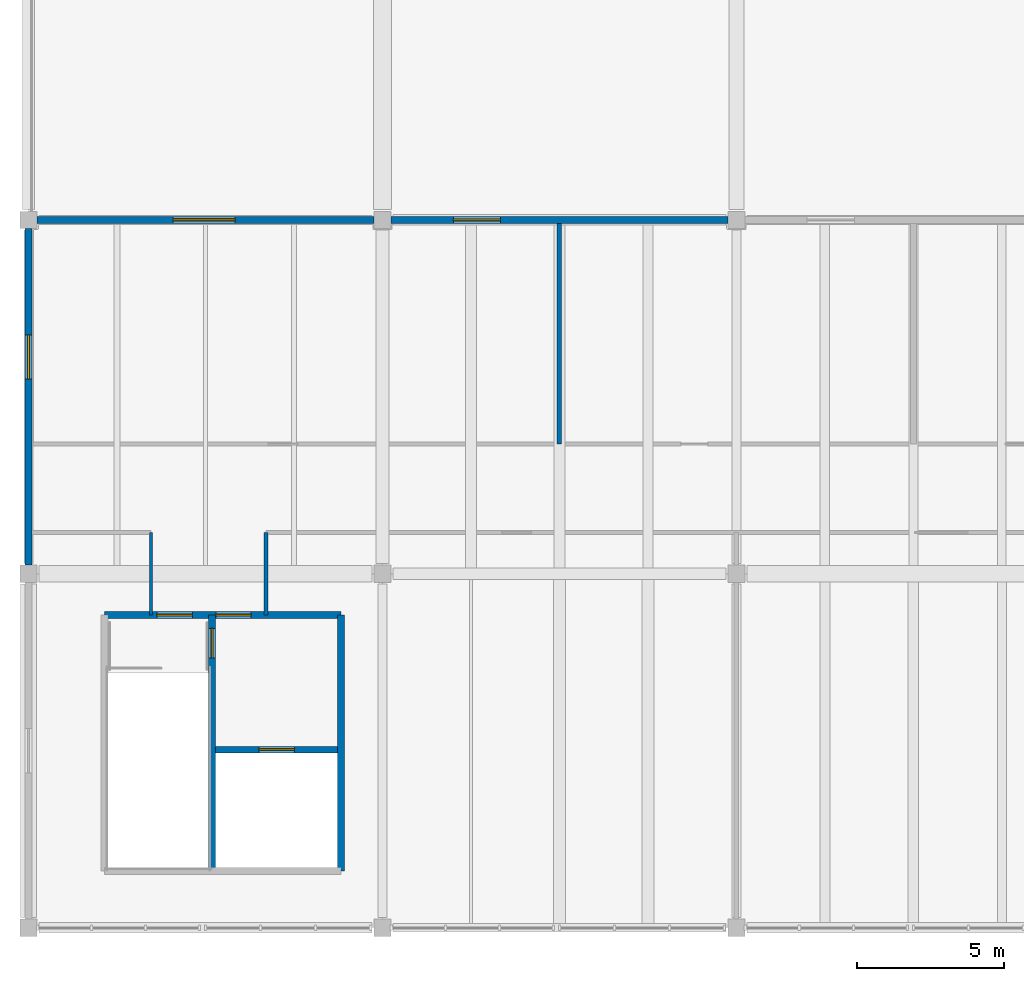
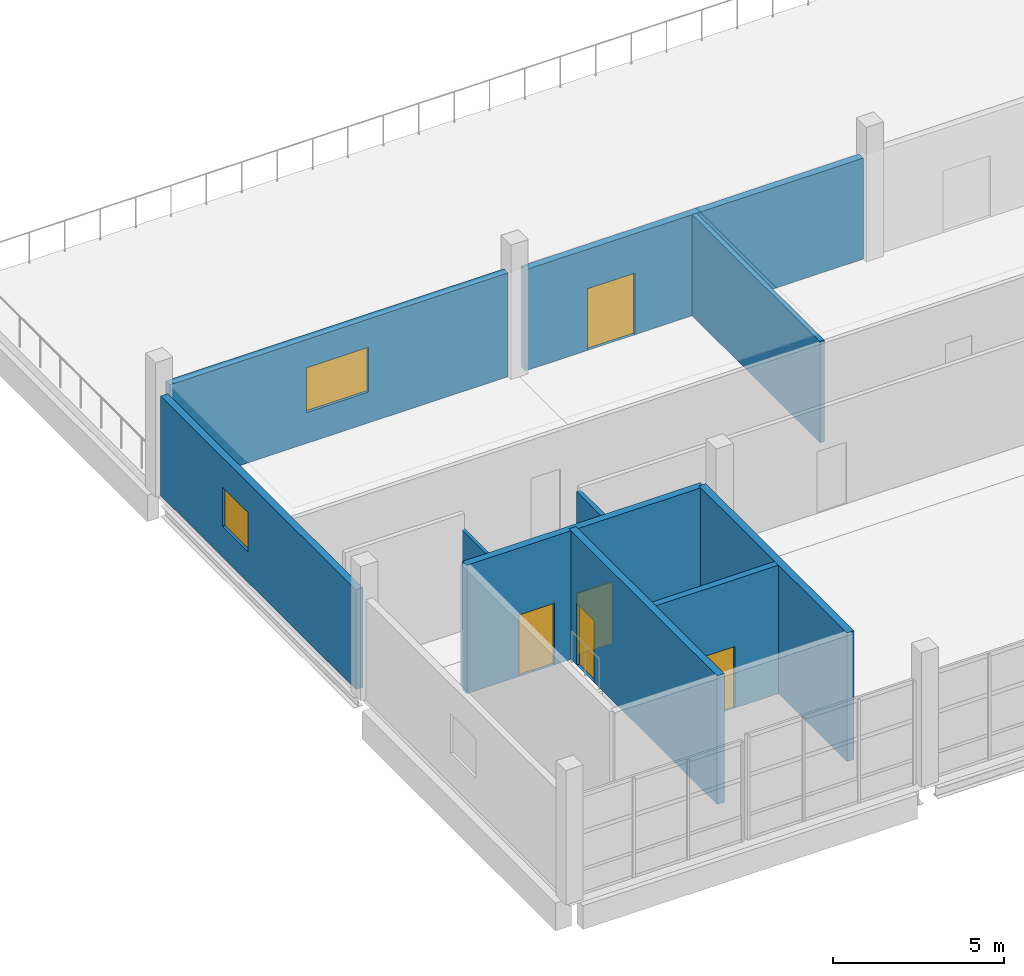
# One storey, part 6 of 8: 10 walls, 5 doors, 2 windows, 7 openings.
"""IFC4 building model written with IfcOpenShell, lengths in metres."""

import ifcopenshell
import ifcopenshell.guid

model = None  # the IFC model being written
_history = None  # IfcOwnerHistory: only IFC2X3 demands one
_inside = {}  # id of a spatial element -> (the spatial element, [elements in it])
_under = {}  # id of a project, library or spatial element -> (it, [spatial elements below it])
_declared = {}  # id of a project -> (the project, [libraries it declares])
_typed = {}  # id of a type object -> (the type object, [elements of that type])
_made_of = {}  # id of a material, layer set ... -> (it, [elements and type objects made of it])


def new_model(schema):
    """Start an empty IFC model of exactly this schema.

    Asked for "IFC4X3", IfcOpenShell would pick the latest addendum, in which some entities
    have other attributes; the version numbers below select the first issue.
    IFC2X3 requires an IfcOwnerHistory on every rooted entity: one is made here for all.
    """
    global model, _history
    if schema == "IFC4X3":
        model = ifcopenshell.file(schema_version=(4, 3, 0, 0))
    else:
        model = ifcopenshell.file(schema=schema)
    _inside.clear()
    _under.clear()
    _declared.clear()
    _typed.clear()
    _made_of.clear()
    _history = None
    if model.schema == "IFC2X3":
        org = make("IfcOrganization", Name="unknown")
        user = make(
            "IfcPersonAndOrganization",
            ThePerson=make("IfcPerson", FamilyName="unknown"),
            TheOrganization=org,
        )
        app = make(
            "IfcApplication",
            ApplicationDeveloper=org,
            Version="unknown",
            ApplicationFullName="unknown",
            ApplicationIdentifier="unknown",
        )
        _history = make(
            "IfcOwnerHistory",
            OwningUser=user,
            OwningApplication=app,
            ChangeAction="ADDED",
            CreationDate=0,
        )
    return model


def make(cls, **values):
    """One entity of the class cls with the attributes given. An attribute that is None is left unset."""
    return model.create_entity(
        cls, **{name: value for name, value in values.items() if value is not None}
    )


def rooted(cls, **values):
    """An entity with a GlobalId (a new one), such as an element, a storey or a relation."""
    return make(cls, GlobalId=ifcopenshell.guid.new(), OwnerHistory=_history, **values)


def si_unit(unit_type, name, prefix=None):
    """IfcSIUnit, for example si_unit("LENGTHUNIT", "METRE", prefix="MILLI")."""
    return make("IfcSIUnit", UnitType=unit_type, Prefix=prefix, Name=name)


def assignment(units):
    """IfcUnitAssignment: the units of a project."""
    return None if units is None else make("IfcUnitAssignment", Units=units)


def point(xyz):
    """IfcCartesianPoint."""
    return None if xyz is None else make("IfcCartesianPoint", Coordinates=xyz)


def direction(xyz):
    """IfcDirection."""
    return None if xyz is None else make("IfcDirection", DirectionRatios=xyz)


def frame(location, z_axis=None, x_axis=None):
    """IfcAxis2Placement3D, a coordinate frame: its origin and axes. An axis left out is left unset."""
    return make(
        "IfcAxis2Placement3D",
        Location=point(location),
        Axis=direction(z_axis),
        RefDirection=direction(x_axis),
    )


def frame_2d(location, x_axis=None):
    """IfcAxis2Placement2D, a coordinate frame in the plane: its origin and x axis."""
    return make(
        "IfcAxis2Placement2D", Location=point(location), RefDirection=direction(x_axis)
    )


def origin():
    """The frame at (0, 0, 0) with its axes left unset."""
    return frame((0.0, 0.0, 0.0))


def place(relative_to, where):
    """IfcLocalPlacement: puts the frame where relative to a parent placement (None: the world)."""
    return make(
        "IfcLocalPlacement", PlacementRelTo=relative_to, RelativePlacement=where
    )


def context(
    kind, dimensions, precision=None, world=None, true_north=None, identifier=None
):
    """IfcGeometricRepresentationContext, for example the 3D "Model" context."""
    return make(
        "IfcGeometricRepresentationContext",
        ContextIdentifier=identifier,
        ContextType=kind,
        CoordinateSpaceDimension=dimensions,
        Precision=precision,
        WorldCoordinateSystem=world,
        TrueNorth=true_north,
    )


def subcontext(parent, identifier, kind, view, scale=None):
    """IfcGeometricRepresentationSubContext, for example "Body" below "Model"."""
    return make(
        "IfcGeometricRepresentationSubContext",
        ContextIdentifier=identifier,
        ContextType=kind,
        ParentContext=parent,
        TargetScale=scale,
        TargetView=view,
    )


def project(units=None, contexts=None):
    """IfcProject with its units and contexts."""
    return rooted(
        "IfcProject",
        Name="project",
        RepresentationContexts=contexts,
        UnitsInContext=assignment(units),
    )


def spatial(cls, under=None, at=None, **own):
    """A site, building, storey or space (cls), placed at a placement, below another one or the project."""
    s = rooted(cls, ObjectPlacement=at, **own)
    if under is not None:
        _under.setdefault(under.id(), (under, []))[1].append(s)
    return s


def profile(cls, at=None, kind="AREA", **sizes):
    """A parametric profile (cls). Its sizes go by their IFC names, for example OverallWidth=200.0."""
    return make(cls, ProfileType=kind, Position=at, **sizes)


def rectangle(**sizes):
    """IfcRectangleProfileDef."""
    return profile("IfcRectangleProfileDef", **sizes)


def extrude(swept, where, along, depth):
    """IfcExtrudedAreaSolid: the profile swept, set in the frame where, extruded along a direction by depth."""
    return make(
        "IfcExtrudedAreaSolid",
        SweptArea=swept,
        Position=where,
        ExtrudedDirection=direction(along),
        Depth=depth,
    )


def shape(context_of_items, identifier, shape_type, items):
    """IfcShapeRepresentation: the items that make up one representation, for example the "Body"."""
    return make(
        "IfcShapeRepresentation",
        ContextOfItems=context_of_items,
        RepresentationIdentifier=identifier,
        RepresentationType=shape_type,
        Items=items,
    )


def material(Name=None, Category=None):
    """IfcMaterial."""
    return make("IfcMaterial", Name=Name, Category=Category)


def layer(
    of_material, thickness, ventilated=None, Name=None, Category=None, Priority=None
):
    """IfcMaterialLayer: one layer of a wall or slab, of a material (None: an air gap)."""
    return make(
        "IfcMaterialLayer",
        Material=of_material,
        LayerThickness=thickness,
        IsVentilated=ventilated,
        Name=Name,
        Category=Category,
        Priority=Priority,
    )


def layer_set(layers, Name=None):
    """IfcMaterialLayerSet."""
    return make("IfcMaterialLayerSet", MaterialLayers=layers, LayerSetName=Name)


def made_of(thing, what):
    """Note that an element or type object is made of a material, layer set ...; save() writes the relation."""
    if what is not None:
        _made_of.setdefault(what.id(), (what, []))[1].append(thing)
    return thing


def type_object(cls, material=None, **own):
    """A type object (cls), such as IfcWallType, which elements share."""
    return made_of(rooted(cls, **own), material)


def element(
    cls,
    number,
    at=None,
    inside=None,
    cuts=None,
    type_object=None,
    material=None,
    context=None,
    identifier="Body",
    shape_type=None,
    held_by="IfcProductDefinitionShape",
    body=None,
    shapes=None,
    **own,
):
    """One element of the class cls, such as IfcWall. Its Tag is "e" and its number.

    at: its placement. inside: the storey or other place that contains it. cuts: it is an
    opening in that element (IfcRelVoidsElement). A single representation is given by context,
    identifier, shape_type and body (its items); several are given by shapes. held_by: the class
    of the entity that holds the representations. save() writes the other relations.
    """
    e = rooted(cls, Tag="e%d" % number, ObjectPlacement=at, **own)
    if body is not None:
        shapes = [shape(context, identifier, shape_type, body)]
    if shapes is not None:
        e.Representation = make(held_by, Representations=shapes)
    if inside is not None:
        _inside.setdefault(inside.id(), (inside, []))[1].append(e)
    if cuts is not None:
        rooted(
            "IfcRelVoidsElement", RelatingBuildingElement=cuts, RelatedOpeningElement=e
        )
    if type_object is not None:
        _typed.setdefault(type_object.id(), (type_object, []))[1].append(e)
    return made_of(e, material)


def fill(opening, filler):
    """IfcRelFillsElement: the door or window that sits in an opening."""
    return rooted(
        "IfcRelFillsElement",
        RelatingOpeningElement=opening,
        RelatedBuildingElement=filler,
    )


def aggregate(whole, parts):
    """IfcRelAggregates: a whole, such as a stair, and the parts it consists of."""
    return rooted("IfcRelAggregates", RelatingObject=whole, RelatedObjects=parts)


def save(model, path):
    """Write the relations noted so far, then the file.

    IfcRelAggregates (storeys below a building ...), IfcRelContainedInSpatialStructure (elements
    in a storey), IfcRelDefinesByType, IfcRelAssociatesMaterial and IfcRelDeclares: one each for
    every whole, place, type object, material and project.
    """
    for whole, parts in _under.values():
        aggregate(whole, parts)
    for where, things in _inside.values():
        rooted(
            "IfcRelContainedInSpatialStructure",
            RelatedElements=things,
            RelatingStructure=where,
        )
    for kind, things in _typed.values():
        rooted("IfcRelDefinesByType", RelatedObjects=things, RelatingType=kind)
    for what, things in _made_of.values():
        rooted("IfcRelAssociatesMaterial", RelatedObjects=things, RelatingMaterial=what)
    for by, libraries in _declared.values():
        rooted("IfcRelDeclares", RelatingContext=by, RelatedDefinitions=libraries)
    model.write(path)


model = new_model("IFC4")

# Units and contexts
model_context = context("Model", 3, precision=1e-05, world=origin(), true_north=direction((0.0, 1.0)))
body_context = subcontext(model_context, "Body", "Model", "MODEL_VIEW")
ifc_project = project(units=[si_unit("LENGTHUNIT", "METRE"), si_unit("AREAUNIT", "SQUARE_METRE"), si_unit("VOLUMEUNIT", "CUBIC_METRE"), si_unit("PLANEANGLEUNIT", "RADIAN"), si_unit("MASSUNIT", "GRAM", prefix="KILO")], contexts=[model_context])

# Site, building, storey
site_placement = place(None, origin())
site = spatial("IfcSite", under=ifc_project, at=site_placement, CompositionType="ELEMENT")
building_placement = place(site_placement, origin())
building = spatial("IfcBuilding", under=site, at=building_placement, Name="Kamomehara Wholesale Market", CompositionType="ELEMENT")
storey_placement = place(building_placement, frame((0.0, 0.0, 16.199951171875)))
storey = spatial("IfcBuildingStorey", under=building, at=storey_placement, Name="L03", CompositionType="ELEMENT", Elevation=16.199951171875)

# Wall, opening, window
ifc_material_1 = material(Name="Precast concrete Fc45 (C40/50)", Category="concrete")
ifc_layer_1 = layer(ifc_material_1, 0.239990234375)
ifc_layer_set_1 = layer_set([ifc_layer_1], Name="Precast concrete Fc45 (C40/50)")
wall_type_1 = type_object("IfcWallType", Name="EW-PC-240", PredefinedType="SOLIDWALL", material=ifc_layer_set_1)
wall_1_placement = place(storey_placement, frame((108.2900390625, 36.0, 0.0), z_axis=(0.0, 0.0, 1.0), x_axis=(1.0, 0.0, 0.0)))
wall_1 = element("IfcWall", 1, at=wall_1_placement, inside=storey, type_object=wall_type_1, Name="Exterior wall EW-PC-240 118", PredefinedType="SOLIDWALL", context=body_context, shape_type="SweptSolid", body=[
    extrude(rectangle(XDim=11.419921875, YDim=0.239990234375, at=frame_2d((5.7099609375, 0.0))), origin(), (0.0, 0.0, 1.0), 3.7080078125),
])
opening_1_placement = place(wall_1_placement, frame((4.610107421875, 0.0, 1.10009765625)))
opening_1 = element("IfcOpeningElement", 2, at=opening_1_placement, cuts=wall_1, Name="Opening WN-L03-034", PredefinedType="OPENING", context=body_context, shape_type="SweptSolid", body=[
    extrude(rectangle(XDim=2.10009765625, YDim=1.60009765625, at=frame_2d((1.050048828125, 0.800048828125))), frame((0.0, 0.134765625, 0.0), z_axis=(0.0, -1.0, 0.0), x_axis=(1.0, 0.0, 0.0)), (0.0, 0.0, 1.0), 0.269775390625),
])
ifc_material_2 = material(Name="Solar-control Low-E double glazing", Category="glass")
window_type_1 = type_object("IfcWindowType", Name="WIN-2100x1600", PartitioningType="SINGLE_PANEL", PredefinedType="WINDOW", material=ifc_material_2)
window_1_placement = place(opening_1_placement, origin())
window_1 = element("IfcWindow", 3, at=window_1_placement, inside=storey, type_object=window_type_1, Name="Exterior window WN-L03-034", OverallHeight=1.60009765625, OverallWidth=2.10009765625, PartitioningType="SINGLE_PANEL", PredefinedType="WINDOW", context=body_context, shape_type="SweptSolid", body=[
    extrude(rectangle(XDim=2.10009765625, YDim=1.60009765625, at=frame_2d((1.050048828125, 0.800048828125))), frame((0.0, 0.030029296875, 0.0), z_axis=(0.0, -1.0, 0.0), x_axis=(1.0, 0.0, 0.0)), (0.0, 0.0, 1.0), 0.06005859375),
])
fill(opening_1, window_1)

# Wall, opening, door
wall_2_placement = place(storey_placement, frame((120.2900390625, 36.0, 0.0), z_axis=(0.0, 0.0, 1.0), x_axis=(1.0, 0.0, 0.0)))
wall_2 = element("IfcWall", 4, at=wall_2_placement, inside=storey, type_object=wall_type_1, Name="Exterior wall EW-PC-240 119", PredefinedType="SOLIDWALL", context=body_context, shape_type="SweptSolid", body=[
    extrude(rectangle(XDim=11.419921875, YDim=0.239990234375, at=frame_2d((5.7099609375, 0.0))), origin(), (0.0, 0.0, 1.0), 3.608154296875),
])
opening_2_placement = place(wall_2_placement, frame((2.110107421875, 0.0, 0.0)))
opening_2 = element("IfcOpeningElement", 5, at=opening_2_placement, cuts=wall_2, Name="Opening TD-L03-120", PredefinedType="OPENING", context=body_context, shape_type="SweptSolid", body=[
    extrude(rectangle(XDim=1.60009765625, YDim=2.199951171875, at=frame_2d((0.800048828125, 1.10009765625))), frame((0.0, 0.134765625, 0.0), z_axis=(0.0, -1.0, 0.0), x_axis=(1.0, 0.0, 0.0)), (0.0, 0.0, 1.0), 0.269775390625),
])
ifc_material_3 = material(Name="Anodised aluminium 6063-T5", Category="aluminium")
door_type_1 = type_object("IfcDoorType", Name="EDR-1600x2200", OperationType="NOTDEFINED", PredefinedType="DOOR", material=ifc_material_3)
door_1_placement = place(opening_2_placement, origin())
door_1 = element("IfcDoor", 6, at=door_1_placement, inside=storey, type_object=door_type_1, Name="Terrace 3 harbour-view door TD-L03-120", OperationType="SINGLE_SWING_LEFT", OverallHeight=2.199951171875, OverallWidth=1.60009765625, PredefinedType="DOOR", context=body_context, shape_type="SweptSolid", body=[
    extrude(rectangle(XDim=1.60009765625, YDim=2.199951171875, at=frame_2d((0.800048828125, 1.10009765625))), frame((0.0, 0.02490234375, 0.0), z_axis=(0.0, -1.0, 0.0), x_axis=(1.0, 0.0, 0.0)), (0.0, 0.0, 1.0), 0.050048828125),
])
fill(opening_2, door_1)

# Wall, opening, window
wall_3_placement = place(storey_placement, frame((108.0, 24.2900390625, 0.0), z_axis=(0.0, 0.0, 1.0), x_axis=(0.0, 1.0, 0.0)))
wall_3 = element("IfcWall", 7, at=wall_3_placement, inside=storey, type_object=wall_type_1, Name="Exterior wall EW-PC-240 125", PredefinedType="SOLIDWALL", context=body_context, shape_type="SweptSolid", body=[
    extrude(rectangle(XDim=11.419921875, YDim=0.239990234375, at=frame_2d((5.7099609375, 0.0))), origin(), (0.0, 0.0, 1.0), 3.55810546875),
])
opening_3_placement = place(wall_3_placement, frame((6.31005859375, 0.0, 1.10009765625)))
opening_3 = element("IfcOpeningElement", 8, at=opening_3_placement, cuts=wall_3, Name="Opening WN-L03-039", PredefinedType="OPENING", context=body_context, shape_type="SweptSolid", body=[
    extrude(rectangle(XDim=1.5, YDim=1.39990234375, at=frame_2d((0.75, 0.699951171875))), frame((0.0, 0.134765625, 0.0), z_axis=(0.0, -1.0, 0.0), x_axis=(1.0, 0.0, 0.0)), (0.0, 0.0, 1.0), 0.269775390625),
])
ifc_material_4 = material(Name="Solar-control Low-E double glazing", Category="glass")
window_type_2 = type_object("IfcWindowType", Name="WIN-1500x1400", PartitioningType="SINGLE_PANEL", PredefinedType="WINDOW", material=ifc_material_4)
window_2_placement = place(opening_3_placement, origin())
window_2 = element("IfcWindow", 9, at=window_2_placement, inside=storey, type_object=window_type_2, Name="Exterior window WN-L03-039", OverallHeight=1.39990234375, OverallWidth=1.5, PartitioningType="SINGLE_PANEL", PredefinedType="WINDOW", context=body_context, shape_type="SweptSolid", body=[
    extrude(rectangle(XDim=1.5, YDim=1.39990234375, at=frame_2d((0.75, 0.699951171875))), frame((0.0, 0.030029296875, 0.0), z_axis=(0.0, -1.0, 0.0), x_axis=(1.0, 0.0, 0.0)), (0.0, 0.0, 1.0), 0.06005859375),
])
fill(opening_3, window_2)

# Walls
ifc_material_5 = material(Name="Gypsum board partition")
ifc_layer_2 = layer(ifc_material_5, 0.10009765625)
ifc_layer_set_2 = layer_set([ifc_layer_2], Name="Gypsum board partition")
wall_type_2 = type_object("IfcWallType", Name="IW-PRT-100", PredefinedType="PARTITIONING", material=ifc_layer_set_2)
wall_4_placement = place(storey_placement, frame((112.14990234375, 22.60009765625, 0.0), z_axis=(0.0, 0.0, 1.0), x_axis=(0.0, 1.0, 0.0)))
element("IfcWall", 10, at=wall_4_placement, inside=storey, type_object=wall_type_2, Name="Interior wall IW-PRT-100 378", PredefinedType="PARTITIONING", context=body_context, shape_type="SweptSolid", body=[
    extrude(rectangle(XDim=2.7998046875, YDim=0.10009765625, at=frame_2d((1.39990234375, 0.0))), origin(), (0.0, 0.0, 1.0), 3.56298828125),
])
ifc_material_6 = material(Name="Gypsum board partition")
ifc_layer_3 = layer(ifc_material_6, 0.14990234375)
ifc_layer_set_3 = layer_set([ifc_layer_3], Name="Gypsum board partition")
wall_type_3 = type_object("IfcWallType", Name="IW-PRT-150", PredefinedType="PARTITIONING", material=ifc_layer_set_3)
wall_5_placement = place(storey_placement, frame((116.050048828125, 22.60009765625, 0.0), z_axis=(0.0, 0.0, 1.0), x_axis=(0.0, 1.0, 0.0)))
element("IfcWall", 11, at=wall_5_placement, inside=storey, type_object=wall_type_3, Name="Interior wall IW-PRT-150 379", PredefinedType="PARTITIONING", context=body_context, shape_type="SweptSolid", body=[
    extrude(rectangle(XDim=2.7998046875, YDim=0.14990234375, at=frame_2d((1.39990234375, 0.0))), origin(), (0.0, 0.0, 1.0), 3.56298828125),
])
wall_6_placement = place(storey_placement, frame((126.0, 28.39990234375, 0.0), z_axis=(0.0, 0.0, 1.0), x_axis=(0.0, 1.0, 0.0)))
element("IfcWall", 12, at=wall_6_placement, inside=storey, type_object=wall_type_3, Name="Interior wall IW-PRT-150 386", PredefinedType="PARTITIONING", context=body_context, shape_type="SweptSolid", body=[
    extrude(rectangle(XDim=7.47998046875, YDim=0.14990234375, at=frame_2d((3.739990234375, 0.0))), origin(), (0.0, 0.0, 1.0), 3.613037109375),
])

# Wall, opening, door
ifc_material_7 = material(Name="Concrete Fc36 (C35/45)", Category="concrete")
ifc_layer_4 = layer(ifc_material_7, 0.219970703125)
ifc_layer_set_4 = layer_set([ifc_layer_4], Name="Concrete Fc36 (C35/45)")
wall_type_4 = type_object("IfcWallType", Name="IW-SHR-220", PredefinedType="SHEAR", material=ifc_layer_set_4)
wall_7_placement = place(storey_placement, frame((114.340087890625, 18.0400390625, 0.0), z_axis=(0.0, 0.0, 1.0), x_axis=(1.0, 0.0, 0.0)))
wall_7 = element("IfcWall", 13, at=wall_7_placement, inside=storey, type_object=wall_type_4, Name="Interior wall IW-SHR-220 108", PredefinedType="SHEAR", context=body_context, shape_type="SweptSolid", body=[
    extrude(rectangle(XDim=4.139892578125, YDim=0.219970703125, at=frame_2d((2.06982421875, 0.0))), origin(), (0.0, 0.0, 1.0), 4.590087890625),
])
opening_4_placement = place(wall_7_placement, frame((1.469970703125, 0.0, 0.0)))
opening_4 = element("IfcOpeningElement", 14, at=opening_4_placement, cuts=wall_7, Name="Opening LD-LP-03-L03", PredefinedType="OPENING", context=body_context, shape_type="SweptSolid", body=[
    extrude(rectangle(XDim=1.199951171875, YDim=2.199951171875, at=frame_2d((0.60009765625, 1.10009765625))), frame((0.0, 0.125, 0.0), z_axis=(0.0, -1.0, 0.0), x_axis=(1.0, 0.0, 0.0)), (0.0, 0.0, 1.0), 0.249755859375),
])
ifc_material_8 = material(Name="Steel SN400B", Category="steel")
door_type_2 = type_object("IfcDoorType", Name="LDR-PAX-1200x2200", OperationType="DOUBLE_DOOR_SLIDING", PredefinedType="DOOR", material=ifc_material_8)
door_2_placement = place(opening_4_placement, origin())
door_2 = element("IfcDoor", 15, at=door_2_placement, inside=storey, type_object=door_type_2, Name="Lift sliding landing door LD-LP-03-L03", OperationType="DOUBLE_DOOR_SLIDING", OverallHeight=2.199951171875, OverallWidth=1.199951171875, PredefinedType="DOOR", context=body_context, shape_type="SweptSolid", body=[
    extrude(rectangle(XDim=1.199951171875, YDim=2.199951171875, at=frame_2d((0.60009765625, 1.10009765625))), frame((0.0, 0.02490234375, 0.0), z_axis=(0.0, -1.0, 0.0), x_axis=(1.0, 0.0, 0.0)), (0.0, 0.0, 1.0), 0.050048828125),
])
fill(opening_4, door_2)

ifc_material_9 = material(Name="Concrete Fc36 (C35/45)", Category="concrete")
ifc_layer_5 = layer(ifc_material_9, 0.239990234375)
ifc_layer_set_5 = layer_set([ifc_layer_5], Name="Concrete Fc36 (C35/45)")
wall_type_5 = type_object("IfcWallType", Name="IW-SHR-240", PredefinedType="SHEAR", material=ifc_layer_set_5)
wall_8_placement = place(storey_placement, frame((114.219970703125, 13.929931640625, 0.0), z_axis=(0.0, 0.0, 1.0), x_axis=(0.0, 1.0, 0.0)))
wall_8 = element("IfcWall", 16, at=wall_8_placement, inside=storey, type_object=wall_type_5, Name="Interior wall IW-SHR-240 105", PredefinedType="SHEAR", context=body_context, shape_type="SweptSolid", body=[
    extrude(rectangle(XDim=8.670166015625, YDim=0.239990234375, at=frame_2d((4.3349609375, 0.0))), origin(), (0.0, 0.0, 1.0), 4.590087890625),
])
opening_5_placement = place(wall_8_placement, frame((7.219970703125, 0.0, 0.0)))
opening_5 = element("IfcOpeningElement", 17, at=opening_5_placement, cuts=wall_8, Name="Opening FD-L03-C7I", PredefinedType="OPENING", context=body_context, shape_type="SweptSolid", body=[
    extrude(rectangle(XDim=1.0, YDim=2.199951171875, at=frame_2d((0.5, 1.10009765625))), frame((0.0, 0.134765625, 0.0), z_axis=(0.0, -1.0, 0.0), x_axis=(1.0, 0.0, 0.0)), (0.0, 0.0, 1.0), 0.269775390625),
])
ifc_material_10 = material(Name="Anodised aluminium 6063-T5", Category="aluminium")
door_type_3 = type_object("IfcDoorType", Name="IDR-RM-1000x2200", OperationType="NOTDEFINED", PredefinedType="DOOR", material=ifc_material_10)
door_3_placement = place(opening_5_placement, origin())
door_3 = element("IfcDoor", 18, at=door_3_placement, inside=storey, type_object=door_type_3, Name="Core lobby-stair fire door FD-L03-C7I", OperationType="SINGLE_SWING_LEFT", OverallHeight=2.199951171875, OverallWidth=1.0, PredefinedType="DOOR", context=body_context, shape_type="SweptSolid", body=[
    extrude(rectangle(XDim=1.0, YDim=2.199951171875, at=frame_2d((0.5, 1.10009765625))), frame((0.0, 0.02490234375, 0.0), z_axis=(0.0, -1.0, 0.0), x_axis=(1.0, 0.0, 0.0)), (0.0, 0.0, 1.0), 0.050048828125),
])
fill(opening_5, door_3)

# Wall
wall_9_placement = place(storey_placement, frame((118.60009765625, 13.929931640625, 0.0), z_axis=(0.0, 0.0, 1.0), x_axis=(0.0, 1.0, 0.0)))
element("IfcWall", 19, at=wall_9_placement, inside=storey, type_object=wall_type_5, Name="Interior wall IW-SHR-240 106", PredefinedType="SHEAR", context=body_context, shape_type="SweptSolid", body=[
    extrude(rectangle(XDim=8.670166015625, YDim=0.239990234375, at=frame_2d((4.3349609375, 0.0))), origin(), (0.0, 0.0, 1.0), 4.590087890625),
])

# Wall, openings, doors
wall_10_placement = place(storey_placement, frame((110.580078125, 22.60009765625, 0.0), z_axis=(0.0, 0.0, 1.0), x_axis=(1.0, 0.0, 0.0)))
wall_10 = element("IfcWall", 20, at=wall_10_placement, inside=storey, type_object=wall_type_5, Name="Interior wall IW-SHR-240 107", PredefinedType="SHEAR", context=body_context, shape_type="SweptSolid", body=[
    extrude(rectangle(XDim=8.02001953125, YDim=0.239990234375, at=frame_2d((4.010009765625, 0.0))), origin(), (0.0, 0.0, 1.0), 4.590087890625),
])
opening_6_placement = place(wall_10_placement, frame((1.77001953125, 0.0, 0.0)))
opening_6 = element("IfcOpeningElement", 21, at=opening_6_placement, cuts=wall_10, Name="Opening FD-L03-C7S", PredefinedType="OPENING", context=body_context, shape_type="SweptSolid", body=[
    extrude(rectangle(XDim=1.199951171875, YDim=2.199951171875, at=frame_2d((0.60009765625, 1.10009765625))), frame((0.0, 0.134765625, 0.0), z_axis=(0.0, -1.0, 0.0), x_axis=(1.0, 0.0, 0.0)), (0.0, 0.0, 1.0), 0.269775390625),
])
opening_7_placement = place(wall_10_placement, frame((3.77001953125, 0.0, 0.0)))
opening_7 = element("IfcOpeningElement", 22, at=opening_7_placement, cuts=wall_10, Name="Opening FD-L03-C7L", PredefinedType="OPENING", context=body_context, shape_type="SweptSolid", body=[
    extrude(rectangle(XDim=1.199951171875, YDim=2.199951171875, at=frame_2d((0.60009765625, 1.10009765625))), frame((0.0, 0.134765625, 0.0), z_axis=(0.0, -1.0, 0.0), x_axis=(1.0, 0.0, 0.0)), (0.0, 0.0, 1.0), 0.269775390625),
])
ifc_material_11 = material(Name="Steel SN400B", Category="steel")
door_type_4 = type_object("IfcDoorType", Name="IDR-FD-1200x2200", OperationType="NOTDEFINED", PredefinedType="DOOR", material=ifc_material_11)
door_4_placement = place(opening_6_placement, origin())
door_4 = element("IfcDoor", 23, at=door_4_placement, inside=storey, type_object=door_type_4, Name="Stair fire door FD-L03-C7S", OperationType="SINGLE_SWING_RIGHT", OverallHeight=2.199951171875, OverallWidth=1.199951171875, PredefinedType="DOOR", context=body_context, shape_type="SweptSolid", body=[
    extrude(rectangle(XDim=1.199951171875, YDim=2.199951171875, at=frame_2d((0.60009765625, 1.10009765625))), frame((0.0, 0.02490234375, 0.0), z_axis=(0.0, -1.0, 0.0), x_axis=(1.0, 0.0, 0.0)), (0.0, 0.0, 1.0), 0.050048828125),
])
fill(opening_6, door_4)
door_5_placement = place(opening_7_placement, origin())
door_5 = element("IfcDoor", 24, at=door_5_placement, inside=storey, type_object=door_type_4, Name="Lift lobby fire door FD-L03-C7L", OperationType="SINGLE_SWING_LEFT", OverallHeight=2.199951171875, OverallWidth=1.199951171875, PredefinedType="DOOR", context=body_context, shape_type="SweptSolid", body=[
    extrude(rectangle(XDim=1.199951171875, YDim=2.199951171875, at=frame_2d((0.60009765625, 1.10009765625))), frame((0.0, 0.02490234375, 0.0), z_axis=(0.0, -1.0, 0.0), x_axis=(1.0, 0.0, 0.0)), (0.0, 0.0, 1.0), 0.050048828125),
])
fill(opening_7, door_5)

save(model, "model.ifc")
